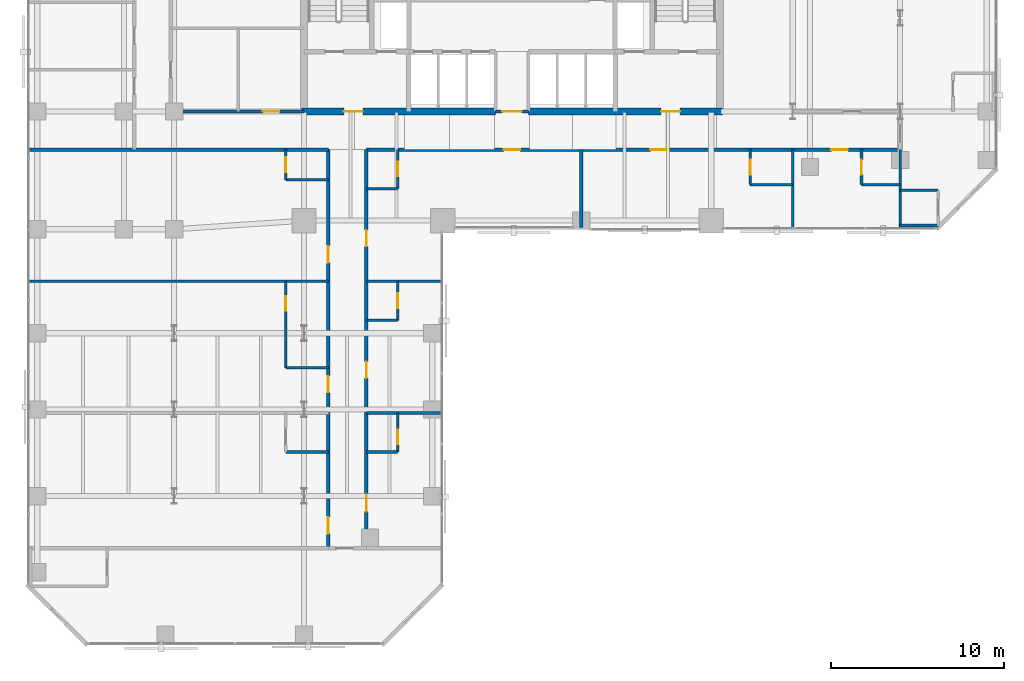
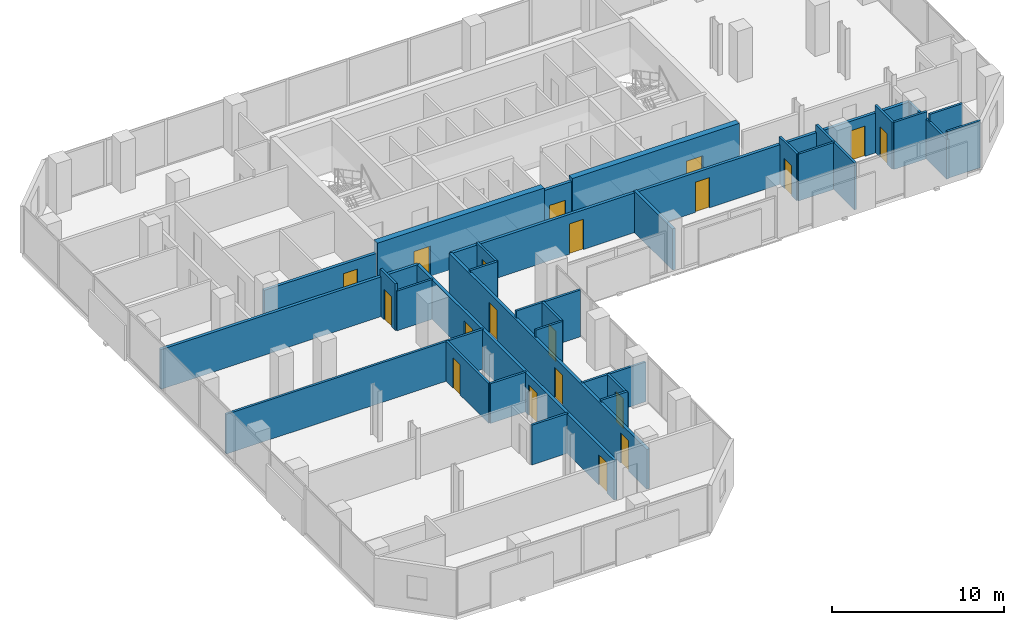
# One storey, part 27 of 31: 31 walls, 20 doors, 20 openings.
"""IFC4 building model written with IfcOpenShell, lengths in metres."""

from ifc_helpers import new_model, si_unit, direction, frame, frame_2d, origin, place, context, subcontext, project, spatial, rectangle, extrude, material, layer, layer_set, type_object, element, fill, save


model = new_model("IFC4")

# Units and contexts
model_context = context("Model", 3, precision=1e-05, world=origin(), true_north=direction((0.0, 1.0)))
body_context = subcontext(model_context, "Body", "Model", "MODEL_VIEW")
ifc_project = project(units=[si_unit("LENGTHUNIT", "METRE"), si_unit("AREAUNIT", "SQUARE_METRE"), si_unit("VOLUMEUNIT", "CUBIC_METRE"), si_unit("PLANEANGLEUNIT", "RADIAN"), si_unit("MASSUNIT", "GRAM", prefix="KILO")], contexts=[model_context])

# Site, building, storey
site_placement = place(None, origin())
site = spatial("IfcSite", under=ifc_project, at=site_placement, CompositionType="ELEMENT")
building_placement = place(site_placement, origin())
building = spatial("IfcBuilding", under=site, at=building_placement, Name="Catumbela Crestline Tower", CompositionType="ELEMENT")
storey_placement = place(building_placement, frame((0.0, 0.0, 40.2)))
storey = spatial("IfcBuildingStorey", under=building, at=storey_placement, Name="L09", CompositionType="ELEMENT", Elevation=40.2)

# Wall, opening, door
ifc_material_1 = material(Name="Concrete C60/75", Category="concrete")
ifc_layer_1 = layer(ifc_material_1, 0.4, Name="Concrete C60/75")
ifc_layer_set_1 = layer_set([ifc_layer_1], Name="Concrete C60/75")
wall_type_1 = type_object("IfcWallType", Name="CW-400A", PredefinedType="SHEAR", material=ifc_layer_set_1)
wall_1_placement = place(storey_placement, frame((15.85, 30.8, 0.0), z_axis=(0.0, 0.0, 1.0), x_axis=(1.0, 0.0, 0.0)))
wall_1 = element("IfcWall", 1, at=wall_1_placement, inside=storey, type_object=wall_type_1, Name="L09 Structural Core Shear Wall SW", PredefinedType="SHEAR", context=body_context, shape_type="SweptSolid", body=[
    extrude(rectangle(XDim=11.2, YDim=0.4, at=frame_2d((5.6, 0.0))), origin(), (0.0, 0.0, 1.0), 3.6),
])
opening_1_placement = place(wall_1_placement, frame((2.45, 0.0, 0.0)))
opening_1 = element("IfcOpeningElement", 2, at=opening_1_placement, cuts=wall_1, Name="Opening DF9-110", PredefinedType="OPENING", context=body_context, shape_type="SweptSolid", body=[
    extrude(rectangle(XDim=1.1, YDim=2.15, at=frame_2d((0.55, 1.075))), frame((0.0, 0.21, 0.0), z_axis=(0.0, -1.0, 0.0), x_axis=(1.0, 0.0, 0.0)), (0.0, 0.0, 1.0), 0.42),
])
ifc_material_2 = material(Name="Stainless steel EN 1.4401", Category="steel")
door_type_1 = type_object("IfcDoorType", Name="DF9-110", OperationType="NOTDEFINED", PredefinedType="DOOR", material=ifc_material_2)
door_1_placement = place(opening_1_placement, origin())
door_1 = element("IfcDoor", 3, at=door_1_placement, inside=storey, type_object=door_type_1, Name="L09 Interior Door DR-L09-FFW-S", OperationType="SINGLE_SWING_LEFT", OverallHeight=2.15, OverallWidth=1.1, PredefinedType="DOOR", context=body_context, shape_type="SweptSolid", body=[
    extrude(rectangle(XDim=1.1, YDim=2.15, at=frame_2d((0.55, 1.075))), frame((0.0, 0.025, 0.0), z_axis=(0.0, -1.0, 0.0), x_axis=(1.0, 0.0, 0.0)), (0.0, 0.0, 1.0), 0.05),
])
fill(opening_1, door_1)

wall_2_placement = place(storey_placement, frame((28.95, 30.8, 0.0), z_axis=(0.0, 0.0, 1.0), x_axis=(1.0, 0.0, 0.0)))
wall_2 = element("IfcWall", 4, at=wall_2_placement, inside=storey, type_object=wall_type_1, Name="L09 Structural Core Shear Wall SE", PredefinedType="SHEAR", context=body_context, shape_type="SweptSolid", body=[
    extrude(rectangle(XDim=11.2, YDim=0.4, at=frame_2d((5.6, 0.0))), origin(), (0.0, 0.0, 1.0), 3.6),
])
opening_2_placement = place(wall_2_placement, frame((7.65, 0.0, 0.0)))
opening_2 = element("IfcOpeningElement", 5, at=opening_2_placement, cuts=wall_2, Name="Opening DF9-110", PredefinedType="OPENING", context=body_context, shape_type="SweptSolid", body=[
    extrude(rectangle(XDim=1.1, YDim=2.15, at=frame_2d((0.55, 1.075))), frame((0.0, 0.21, 0.0), z_axis=(0.0, -1.0, 0.0), x_axis=(1.0, 0.0, 0.0)), (0.0, 0.0, 1.0), 0.42),
])
door_2_placement = place(opening_2_placement, origin())
door_2 = element("IfcDoor", 6, at=door_2_placement, inside=storey, type_object=door_type_1, Name="L09 Interior Door DR-L09-FFE-S", OperationType="SINGLE_SWING_RIGHT", OverallHeight=2.15, OverallWidth=1.1, PredefinedType="DOOR", context=body_context, shape_type="SweptSolid", body=[
    extrude(rectangle(XDim=1.1, YDim=2.15, at=frame_2d((0.55, 1.075))), frame((0.0, 0.025, 0.0), z_axis=(0.0, -1.0, 0.0), x_axis=(1.0, 0.0, 0.0)), (0.0, 0.0, 1.0), 0.05),
])
fill(opening_2, door_2)

ifc_material_3 = material(Name="Acoustic gypsum and mineral-wool partition")
ifc_layer_2 = layer(ifc_material_3, 0.2, Name="Acoustic gypsum and mineral-wool partition")
ifc_layer_set_2 = layer_set([ifc_layer_2], Name="Acoustic gypsum and mineral-wool partition")
wall_type_2 = type_object("IfcWallType", Name="WC-200", PredefinedType="PARTITIONING", material=ifc_layer_set_2)
wall_3_placement = place(storey_placement, frame((27.05, 30.8, 0.0), z_axis=(0.0, 0.0, 1.0), x_axis=(1.0, 0.0, 0.0)))
wall_3 = element("IfcWall", 7, at=wall_3_placement, inside=storey, type_object=wall_type_2, Name="L09 Interior Partition PW-L09-CLOBS", PredefinedType="PARTITIONING", context=body_context, shape_type="SweptSolid", body=[
    extrude(rectangle(XDim=1.9, YDim=0.2, at=frame_2d((0.95, 0.0))), origin(), (0.0, 0.0, 1.0), 3.33),
])
opening_3_placement = place(wall_3_placement, frame((0.4, 0.0, 0.0)))
opening_3 = element("IfcOpeningElement", 8, at=opening_3_placement, cuts=wall_3, Name="Opening DF9-110", PredefinedType="OPENING", context=body_context, shape_type="SweptSolid", body=[
    extrude(rectangle(XDim=1.1, YDim=2.15, at=frame_2d((0.55, 1.075))), frame((0.0, 0.11, 0.0), z_axis=(0.0, -1.0, 0.0), x_axis=(1.0, 0.0, 0.0)), (0.0, 0.0, 1.0), 0.22),
])
door_3_placement = place(opening_3_placement, origin())
door_3 = element("IfcDoor", 9, at=door_3_placement, inside=storey, type_object=door_type_1, Name="L09 Interior Door DR-L09-CLOBS", OperationType="SINGLE_SWING_LEFT", OverallHeight=2.15, OverallWidth=1.1, PredefinedType="DOOR", context=body_context, shape_type="SweptSolid", body=[
    extrude(rectangle(XDim=1.1, YDim=2.15, at=frame_2d((0.55, 1.075))), frame((0.0, 0.025, 0.0), z_axis=(0.0, -1.0, 0.0), x_axis=(1.0, 0.0, 0.0)), (0.0, 0.0, 1.0), 0.05),
])
fill(opening_3, door_3)

# Wall
wall_4_placement = place(storey_placement, frame((0.1, 28.6, 0.0), z_axis=(0.0, 0.0, 1.0), x_axis=(1.0, 0.0, 0.0)))
element("IfcWall", 10, at=wall_4_placement, inside=storey, type_object=wall_type_2, Name="L09 Interior Partition PW-L09-CWGL-N", PredefinedType="PARTITIONING", context=body_context, shape_type="SweptSolid", body=[
    extrude(rectangle(XDim=17.3, YDim=0.2, at=frame_2d((8.65, 0.0))), origin(), (0.0, 0.0, 1.0), 2.82),
])

# Wall, openings, doors
wall_5_placement = place(storey_placement, frame((19.6, 28.6, 0.0), z_axis=(0.0, 0.0, 1.0), x_axis=(1.0, 0.0, 0.0)))
wall_5 = element("IfcWall", 11, at=wall_5_placement, inside=storey, type_object=wall_type_2, Name="L09 Interior Partition PW-L09-CWGR-N", PredefinedType="PARTITIONING", context=body_context, shape_type="SweptSolid", body=[
    extrude(rectangle(XDim=30.8, YDim=0.2, at=frame_2d((15.4, 0.0))), origin(), (0.0, 0.0, 1.0), 2.82),
])
opening_4_placement = place(wall_5_placement, frame((7.925, 0.0, 0.0)))
opening_4 = element("IfcOpeningElement", 12, at=opening_4_placement, cuts=wall_5, Name="Opening DF6-095", PredefinedType="OPENING", context=body_context, shape_type="SweptSolid", body=[
    extrude(rectangle(XDim=0.95, YDim=2.15, at=frame_2d((0.475, 1.075))), frame((0.0, 0.11, 0.0), z_axis=(0.0, -1.0, 0.0), x_axis=(1.0, 0.0, 0.0)), (0.0, 0.0, 1.0), 0.22),
])
opening_5_placement = place(wall_5_placement, frame((16.39, 0.0, 0.0)))
opening_5 = element("IfcOpeningElement", 13, at=opening_5_placement, cuts=wall_5, Name="Opening DF6-095", PredefinedType="OPENING", context=body_context, shape_type="SweptSolid", body=[
    extrude(rectangle(XDim=0.95, YDim=2.15, at=frame_2d((0.475, 1.075))), frame((0.0, 0.11, 0.0), z_axis=(0.0, -1.0, 0.0), x_axis=(1.0, 0.0, 0.0)), (0.0, 0.0, 1.0), 0.22),
])
opening_6_placement = place(wall_5_placement, frame((26.8354, 0.0, 0.0)))
opening_6 = element("IfcOpeningElement", 14, at=opening_6_placement, cuts=wall_5, Name="Opening DF6-095", PredefinedType="OPENING", context=body_context, shape_type="SweptSolid", body=[
    extrude(rectangle(XDim=0.95, YDim=2.15, at=frame_2d((0.475, 1.075))), frame((0.0, 0.11, 0.0), z_axis=(0.0, -1.0, 0.0), x_axis=(1.0, 0.0, 0.0)), (0.0, 0.0, 1.0), 0.22),
])
ifc_material_4 = material(Name="Aluminium alloy AW-6060-T66", Category="aluminium")
door_type_2 = type_object("IfcDoorType", Name="DF6-095", OperationType="NOTDEFINED", PredefinedType="DOOR", material=ifc_material_4)
door_4_placement = place(opening_4_placement, origin())
door_4 = element("IfcDoor", 15, at=door_4_placement, inside=storey, type_object=door_type_2, Name="L09 Interior Door DR-L09-CLBL-ENT", OperationType="SINGLE_SWING_RIGHT", OverallHeight=2.15, OverallWidth=0.95, PredefinedType="DOOR", context=body_context, shape_type="SweptSolid", body=[
    extrude(rectangle(XDim=0.95, YDim=2.15, at=frame_2d((0.475, 1.075))), frame((0.0, 0.025, 0.0), z_axis=(0.0, -1.0, 0.0), x_axis=(1.0, 0.0, 0.0)), (0.0, 0.0, 1.0), 0.05),
])
fill(opening_4, door_4)
door_5_placement = place(opening_5_placement, origin())
door_5 = element("IfcDoor", 16, at=door_5_placement, inside=storey, type_object=door_type_2, Name="L09 Interior Door DR-L09-K2-ENT", OperationType="SINGLE_SWING_RIGHT", OverallHeight=2.15, OverallWidth=0.95, PredefinedType="DOOR", context=body_context, shape_type="SweptSolid", body=[
    extrude(rectangle(XDim=0.95, YDim=2.15, at=frame_2d((0.475, 1.075))), frame((0.0, 0.025, 0.0), z_axis=(0.0, -1.0, 0.0), x_axis=(1.0, 0.0, 0.0)), (0.0, 0.0, 1.0), 0.05),
])
fill(opening_5, door_5)
door_6_placement = place(opening_6_placement, origin())
door_6 = element("IfcDoor", 17, at=door_6_placement, inside=storey, type_object=door_type_2, Name="L09 Interior Door DR-L09-K3-ENT", OperationType="SINGLE_SWING_LEFT", OverallHeight=2.15, OverallWidth=0.95, PredefinedType="DOOR", context=body_context, shape_type="SweptSolid", body=[
    extrude(rectangle(XDim=0.95, YDim=2.15, at=frame_2d((0.475, 1.075))), frame((0.0, 0.025, 0.0), z_axis=(0.0, -1.0, 0.0), x_axis=(1.0, 0.0, 0.0)), (0.0, 0.0, 1.0), 0.05),
])
fill(opening_6, door_6)

# Wall, opening, door
wall_6_placement = place(storey_placement, frame((8.3, 30.8, 0.0), z_axis=(0.0, 0.0, 1.0), x_axis=(1.0, 0.0, 0.0)))
wall_6 = element("IfcWall", 18, at=wall_6_placement, inside=storey, type_object=wall_type_2, Name="L09 Interior Partition PW-L09-HK-S", PredefinedType="PARTITIONING", context=body_context, shape_type="SweptSolid", body=[
    extrude(rectangle(XDim=7.7, YDim=0.2, at=frame_2d((3.85, 0.0))), origin(), (0.0, 0.0, 1.0), 2.82),
])
opening_7_placement = place(wall_6_placement, frame((5.325, 0.0, 0.0)))
opening_7 = element("IfcOpeningElement", 19, at=opening_7_placement, cuts=wall_6, Name="Opening DF6-095", PredefinedType="OPENING", context=body_context, shape_type="SweptSolid", body=[
    extrude(rectangle(XDim=0.95, YDim=2.15, at=frame_2d((0.475, 1.075))), frame((0.0, 0.11, 0.0), z_axis=(0.0, -1.0, 0.0), x_axis=(1.0, 0.0, 0.0)), (0.0, 0.0, 1.0), 0.22),
])
door_7_placement = place(opening_7_placement, origin())
door_7 = element("IfcDoor", 20, at=door_7_placement, inside=storey, type_object=door_type_2, Name="L09 Interior Door DR-L09-HKP", OperationType="SINGLE_SWING_LEFT", OverallHeight=2.15, OverallWidth=0.95, PredefinedType="DOOR", context=body_context, shape_type="SweptSolid", body=[
    extrude(rectangle(XDim=0.95, YDim=2.15, at=frame_2d((0.475, 1.075))), frame((0.0, 0.025, 0.0), z_axis=(0.0, -1.0, 0.0), x_axis=(1.0, 0.0, 0.0)), (0.0, 0.0, 1.0), 0.05),
])
fill(opening_7, door_7)

# Wall, openings, doors
wall_7_placement = place(storey_placement, frame((17.4, 5.6, 0.0), z_axis=(0.0, 0.0, 1.0), x_axis=(0.0, 1.0, 0.0)))
wall_7 = element("IfcWall", 21, at=wall_7_placement, inside=storey, type_object=wall_type_2, Name="L09 Interior Partition PW-L09-WL1-ENT", PredefinedType="PARTITIONING", context=body_context, shape_type="SweptSolid", body=[
    extrude(rectangle(XDim=23.0, YDim=0.2, at=frame_2d((11.5, 0.0))), origin(), (0.0, 0.0, 1.0), 2.82),
])
opening_8_placement = place(wall_7_placement, frame((0.84, 0.0, 0.0)))
opening_8 = element("IfcOpeningElement", 22, at=opening_8_placement, cuts=wall_7, Name="Opening DF6-095", PredefinedType="OPENING", context=body_context, shape_type="SweptSolid", body=[
    extrude(rectangle(XDim=0.95, YDim=2.15, at=frame_2d((0.475, 1.075))), frame((0.0, 0.11, 0.0), z_axis=(0.0, -1.0, 0.0), x_axis=(1.0, 0.0, 0.0)), (0.0, 0.0, 1.0), 0.22),
])
opening_9_placement = place(wall_7_placement, frame((8.9831, 0.0, 0.0)))
opening_9 = element("IfcOpeningElement", 23, at=opening_9_placement, cuts=wall_7, Name="Opening DF6-095", PredefinedType="OPENING", context=body_context, shape_type="SweptSolid", body=[
    extrude(rectangle(XDim=0.95, YDim=2.15, at=frame_2d((0.475, 1.075))), frame((0.0, 0.11, 0.0), z_axis=(0.0, -1.0, 0.0), x_axis=(1.0, 0.0, 0.0)), (0.0, 0.0, 1.0), 0.22),
])
opening_10_placement = place(wall_7_placement, frame((16.476, 0.0, 0.0)))
opening_10 = element("IfcOpeningElement", 24, at=opening_10_placement, cuts=wall_7, Name="Opening DF6-095", PredefinedType="OPENING", context=body_context, shape_type="SweptSolid", body=[
    extrude(rectangle(XDim=0.95, YDim=2.15, at=frame_2d((0.475, 1.075))), frame((0.0, 0.11, 0.0), z_axis=(0.0, -1.0, 0.0), x_axis=(1.0, 0.0, 0.0)), (0.0, 0.0, 1.0), 0.22),
])
door_8_placement = place(opening_8_placement, origin())
door_8 = element("IfcDoor", 25, at=door_8_placement, inside=storey, type_object=door_type_2, Name="L09 Interior Door DR-L09-WL1-ENT", OperationType="SINGLE_SWING_LEFT", OverallHeight=2.15, OverallWidth=0.95, PredefinedType="DOOR", context=body_context, shape_type="SweptSolid", body=[
    extrude(rectangle(XDim=0.95, YDim=2.15, at=frame_2d((0.475, 1.075))), frame((0.0, 0.025, 0.0), z_axis=(0.0, -1.0, 0.0), x_axis=(1.0, 0.0, 0.0)), (0.0, 0.0, 1.0), 0.05),
])
fill(opening_8, door_8)
door_9_placement = place(opening_9_placement, origin())
door_9 = element("IfcDoor", 26, at=door_9_placement, inside=storey, type_object=door_type_2, Name="L09 Interior Door DR-L09-WL2-ENT", OperationType="SINGLE_SWING_RIGHT", OverallHeight=2.15, OverallWidth=0.95, PredefinedType="DOOR", context=body_context, shape_type="SweptSolid", body=[
    extrude(rectangle(XDim=0.95, YDim=2.15, at=frame_2d((0.475, 1.075))), frame((0.0, 0.025, 0.0), z_axis=(0.0, -1.0, 0.0), x_axis=(1.0, 0.0, 0.0)), (0.0, 0.0, 1.0), 0.05),
])
fill(opening_9, door_9)
door_10_placement = place(opening_10_placement, origin())
door_10 = element("IfcDoor", 27, at=door_10_placement, inside=storey, type_object=door_type_2, Name="L09 Interior Door DR-L09-WL3-ENT", OperationType="SINGLE_SWING_LEFT", OverallHeight=2.15, OverallWidth=0.95, PredefinedType="DOOR", context=body_context, shape_type="SweptSolid", body=[
    extrude(rectangle(XDim=0.95, YDim=2.15, at=frame_2d((0.475, 1.075))), frame((0.0, 0.025, 0.0), z_axis=(0.0, -1.0, 0.0), x_axis=(1.0, 0.0, 0.0)), (0.0, 0.0, 1.0), 0.05),
])
fill(opening_10, door_10)

wall_8_placement = place(storey_placement, frame((19.6, 5.6, 0.0), z_axis=(0.0, 0.0, 1.0), x_axis=(0.0, 1.0, 0.0)))
wall_8 = element("IfcWall", 28, at=wall_8_placement, inside=storey, type_object=wall_type_2, Name="L09 Interior Partition PW-L09-WR1-ENT", PredefinedType="PARTITIONING", context=body_context, shape_type="SweptSolid", body=[
    extrude(rectangle(XDim=23.0, YDim=0.2, at=frame_2d((11.5, 0.0))), origin(), (0.0, 0.0, 1.0), 2.82),
])
opening_11_placement = place(wall_8_placement, frame((2.1, 0.0, 0.0)))
opening_11 = element("IfcOpeningElement", 29, at=opening_11_placement, cuts=wall_8, Name="Opening DF6-095", PredefinedType="OPENING", context=body_context, shape_type="SweptSolid", body=[
    extrude(rectangle(XDim=0.95, YDim=2.15, at=frame_2d((0.475, 1.075))), frame((0.0, 0.11, 0.0), z_axis=(0.0, -1.0, 0.0), x_axis=(1.0, 0.0, 0.0)), (0.0, 0.0, 1.0), 0.22),
])
opening_12_placement = place(wall_8_placement, frame((9.81, 0.0, 0.0)))
opening_12 = element("IfcOpeningElement", 30, at=opening_12_placement, cuts=wall_8, Name="Opening DF6-095", PredefinedType="OPENING", context=body_context, shape_type="SweptSolid", body=[
    extrude(rectangle(XDim=0.95, YDim=2.15, at=frame_2d((0.475, 1.075))), frame((0.0, 0.11, 0.0), z_axis=(0.0, -1.0, 0.0), x_axis=(1.0, 0.0, 0.0)), (0.0, 0.0, 1.0), 0.22),
])
opening_13_placement = place(wall_8_placement, frame((17.41, 0.0, 0.0)))
opening_13 = element("IfcOpeningElement", 31, at=opening_13_placement, cuts=wall_8, Name="Opening DF6-095", PredefinedType="OPENING", context=body_context, shape_type="SweptSolid", body=[
    extrude(rectangle(XDim=0.95, YDim=2.15, at=frame_2d((0.475, 1.075))), frame((0.0, 0.11, 0.0), z_axis=(0.0, -1.0, 0.0), x_axis=(1.0, 0.0, 0.0)), (0.0, 0.0, 1.0), 0.22),
])
door_11_placement = place(opening_11_placement, origin())
door_11 = element("IfcDoor", 32, at=door_11_placement, inside=storey, type_object=door_type_2, Name="L09 Interior Door DR-L09-WR1-ENT", OperationType="SINGLE_SWING_LEFT", OverallHeight=2.15, OverallWidth=0.95, PredefinedType="DOOR", context=body_context, shape_type="SweptSolid", body=[
    extrude(rectangle(XDim=0.95, YDim=2.15, at=frame_2d((0.475, 1.075))), frame((0.0, 0.025, 0.0), z_axis=(0.0, -1.0, 0.0), x_axis=(1.0, 0.0, 0.0)), (0.0, 0.0, 1.0), 0.05),
])
fill(opening_11, door_11)
door_12_placement = place(opening_12_placement, origin())
door_12 = element("IfcDoor", 33, at=door_12_placement, inside=storey, type_object=door_type_2, Name="L09 Interior Door DR-L09-WR2-ENT", OperationType="SINGLE_SWING_RIGHT", OverallHeight=2.15, OverallWidth=0.95, PredefinedType="DOOR", context=body_context, shape_type="SweptSolid", body=[
    extrude(rectangle(XDim=0.95, YDim=2.15, at=frame_2d((0.475, 1.075))), frame((0.0, 0.025, 0.0), z_axis=(0.0, -1.0, 0.0), x_axis=(1.0, 0.0, 0.0)), (0.0, 0.0, 1.0), 0.05),
])
fill(opening_12, door_12)
door_13_placement = place(opening_13_placement, origin())
door_13 = element("IfcDoor", 34, at=door_13_placement, inside=storey, type_object=door_type_2, Name="L09 Interior Door DR-L09-WR3-ENT", OperationType="SINGLE_SWING_LEFT", OverallHeight=2.15, OverallWidth=0.95, PredefinedType="DOOR", context=body_context, shape_type="SweptSolid", body=[
    extrude(rectangle(XDim=0.95, YDim=2.15, at=frame_2d((0.475, 1.075))), frame((0.0, 0.025, 0.0), z_axis=(0.0, -1.0, 0.0), x_axis=(1.0, 0.0, 0.0)), (0.0, 0.0, 1.0), 0.05),
])
fill(opening_13, door_13)

# Wall
ifc_layer_3 = layer(ifc_material_3, 0.15, Name="Acoustic gypsum and mineral-wool partition")
ifc_layer_set_3 = layer_set([ifc_layer_3], Name="Acoustic gypsum and mineral-wool partition")
wall_type_3 = type_object("IfcWallType", Name="WP-150", PredefinedType="PARTITIONING", material=ifc_layer_set_3)
wall_9_placement = place(storey_placement, frame((41.75, 26.576, 0.0), z_axis=(0.0, 0.0, 1.0), x_axis=(1.0, 0.0, 0.0)))
element("IfcWall", 35, at=wall_9_placement, inside=storey, type_object=wall_type_3, Name="L09 Interior Partition PW-L09-K2-BHW", PredefinedType="PARTITIONING", context=body_context, shape_type="SweptSolid", body=[
    extrude(rectangle(XDim=2.45, YDim=0.15, at=frame_2d((1.225, 0.0))), origin(), (0.0, 0.0, 1.0), 3.33),
])

# Wall, opening, door
wall_10_placement = place(storey_placement, frame((41.75, 26.576, 0.0), z_axis=(0.0, 0.0, 1.0), x_axis=(0.0, 1.0, 0.0)))
wall_10 = element("IfcWall", 36, at=wall_10_placement, inside=storey, type_object=wall_type_3, Name="L09 Interior Partition PW-L09-K2-BWW", PredefinedType="PARTITIONING", context=body_context, shape_type="SweptSolid", body=[
    extrude(rectangle(XDim=2.024, YDim=0.15, at=frame_2d((1.012, 0.0))), origin(), (0.0, 0.0, 1.0), 3.33),
])
opening_14_placement = place(wall_10_placement, frame((0.587, 0.0, 0.0)))
opening_14 = element("IfcOpeningElement", 37, at=opening_14_placement, cuts=wall_10, Name="Opening DI-085", PredefinedType="OPENING", context=body_context, shape_type="SweptSolid", body=[
    extrude(rectangle(XDim=0.85, YDim=2.15, at=frame_2d((0.425, 1.075))), frame((0.0, 0.085, 0.0), z_axis=(0.0, -1.0, 0.0), x_axis=(1.0, 0.0, 0.0)), (0.0, 0.0, 1.0), 0.17),
])
door_type_3 = type_object("IfcDoorType", Name="DI-085", OperationType="NOTDEFINED", PredefinedType="DOOR", material=ifc_material_4)
door_14_placement = place(opening_14_placement, origin())
door_14 = element("IfcDoor", 38, at=door_14_placement, inside=storey, type_object=door_type_3, Name="L09 Interior Door DR-L09-K2-BTH", OperationType="SINGLE_SWING_RIGHT", OverallHeight=2.15, OverallWidth=0.85, PredefinedType="DOOR", context=body_context, shape_type="SweptSolid", body=[
    extrude(rectangle(XDim=0.85, YDim=2.15, at=frame_2d((0.425, 1.075))), frame((0.0, 0.025, 0.0), z_axis=(0.0, -1.0, 0.0), x_axis=(1.0, 0.0, 0.0)), (0.0, 0.0, 1.0), 0.05),
])
fill(opening_14, door_14)

# Walls
wall_11_placement = place(storey_placement, frame((44.2, 28.6, 0.0), z_axis=(0.0, 0.0, 1.0), x_axis=(0.0, -1.0, 0.0)))
element("IfcWall", 39, at=wall_11_placement, inside=storey, type_object=wall_type_3, Name="L09 Interior Partition PW-L09-K2-BCL-2", PredefinedType="PARTITIONING", context=body_context, shape_type="SweptSolid", body=[
    extrude(rectangle(XDim=4.5, YDim=0.15, at=frame_2d((2.25, 0.0))), origin(), (0.0, 0.0, 1.0), 3.33),
])
wall_12_placement = place(storey_placement, frame((48.168, 26.576, 0.0), z_axis=(0.0, 0.0, 1.0), x_axis=(1.0, 0.0, 0.0)))
element("IfcWall", 40, at=wall_12_placement, inside=storey, type_object=wall_type_3, Name="L09 Interior Partition PW-L09-K3-BHW", PredefinedType="PARTITIONING", context=body_context, shape_type="SweptSolid", body=[
    extrude(rectangle(XDim=2.232, YDim=0.15, at=frame_2d((1.116, 0.0))), origin(), (0.0, 0.0, 1.0), 3.33),
])

# Wall, opening, door
wall_13_placement = place(storey_placement, frame((48.168, 26.576, 0.0), z_axis=(0.0, 0.0, 1.0), x_axis=(0.0, 1.0, 0.0)))
wall_13 = element("IfcWall", 41, at=wall_13_placement, inside=storey, type_object=wall_type_3, Name="L09 Interior Partition PW-L09-K3-BWW", PredefinedType="PARTITIONING", context=body_context, shape_type="SweptSolid", body=[
    extrude(rectangle(XDim=2.024, YDim=0.15, at=frame_2d((1.012, 0.0))), origin(), (0.0, 0.0, 1.0), 3.33),
])
opening_15_placement = place(wall_13_placement, frame((0.587, 0.0, 0.0)))
opening_15 = element("IfcOpeningElement", 42, at=opening_15_placement, cuts=wall_13, Name="Opening DI-085", PredefinedType="OPENING", context=body_context, shape_type="SweptSolid", body=[
    extrude(rectangle(XDim=0.85, YDim=2.15, at=frame_2d((0.425, 1.075))), frame((0.0, 0.085, 0.0), z_axis=(0.0, -1.0, 0.0), x_axis=(1.0, 0.0, 0.0)), (0.0, 0.0, 1.0), 0.17),
])
door_15_placement = place(opening_15_placement, origin())
door_15 = element("IfcDoor", 43, at=door_15_placement, inside=storey, type_object=door_type_3, Name="L09 Interior Door DR-L09-K3-BTH", OperationType="SINGLE_SWING_RIGHT", OverallHeight=2.15, OverallWidth=0.85, PredefinedType="DOOR", context=body_context, shape_type="SweptSolid", body=[
    extrude(rectangle(XDim=0.85, YDim=2.15, at=frame_2d((0.425, 1.075))), frame((0.0, 0.025, 0.0), z_axis=(0.0, -1.0, 0.0), x_axis=(1.0, 0.0, 0.0)), (0.0, 0.0, 1.0), 0.05),
])
fill(opening_15, door_15)

# Walls
wall_14_placement = place(storey_placement, frame((50.4, 28.6, 0.0), z_axis=(0.0, 0.0, 1.0), x_axis=(0.0, -1.0, 0.0)))
element("IfcWall", 44, at=wall_14_placement, inside=storey, type_object=wall_type_3, Name="L09 Interior Partition PW-L09-K3-BCL-2", PredefinedType="PARTITIONING", context=body_context, shape_type="SweptSolid", body=[
    extrude(rectangle(XDim=4.5, YDim=0.15, at=frame_2d((2.25, 0.0))), origin(), (0.0, 0.0, 1.0), 2.82),
])
wall_15_placement = place(storey_placement, frame((50.4, 26.25, 0.0), z_axis=(0.0, 0.0, 1.0), x_axis=(1.0, 0.0, 0.0)))
element("IfcWall", 45, at=wall_15_placement, inside=storey, type_object=wall_type_3, Name="L09 Interior Partition PW-L09-NESE-BNW", PredefinedType="PARTITIONING", context=body_context, shape_type="SweptSolid", body=[
    extrude(rectangle(XDim=2.2, YDim=0.15, at=frame_2d((1.1, 0.0))), origin(), (0.0, 0.0, 1.0), 3.33),
])
wall_16_placement = place(storey_placement, frame((52.62, 24.22, 0.0), z_axis=(0.0, 0.0, 1.0), x_axis=(-1.0, 0.0, 0.0)))
element("IfcWall", 46, at=wall_16_placement, inside=storey, type_object=wall_type_3, Name="L09 Interior Partition PW-L09-NESE-BCL-3", PredefinedType="PARTITIONING", context=body_context, shape_type="SweptSolid", body=[
    extrude(rectangle(XDim=2.22, YDim=0.15, at=frame_2d((1.11, 0.0))), origin(), (0.0, 0.0, 1.0), 3.33),
])
wall_17_placement = place(storey_placement, frame((14.95, 11.15, 0.0), z_axis=(0.0, 0.0, 1.0), x_axis=(1.0, 0.0, 0.0)))
element("IfcWall", 47, at=wall_17_placement, inside=storey, type_object=wall_type_3, Name="L09 Interior Partition PW-L09-WL1-BSW", PredefinedType="PARTITIONING", context=body_context, shape_type="SweptSolid", body=[
    extrude(rectangle(XDim=2.45, YDim=0.15, at=frame_2d((1.225, 0.0))), origin(), (0.0, 0.0, 1.0), 2.82),
])
wall_18_placement = place(storey_placement, frame((19.6, 11.15, 0.0), z_axis=(0.0, 0.0, 1.0), x_axis=(1.0, 0.0, 0.0)))
element("IfcWall", 48, at=wall_18_placement, inside=storey, type_object=wall_type_3, Name="L09 Interior Partition PW-L09-WR1-BSW", PredefinedType="PARTITIONING", context=body_context, shape_type="SweptSolid", body=[
    extrude(rectangle(XDim=1.8, YDim=0.15, at=frame_2d((0.9, 0.0))), origin(), (0.0, 0.0, 1.0), 2.96),
])

# Wall, opening, door
wall_19_placement = place(storey_placement, frame((21.4, 11.15, 0.0), z_axis=(0.0, 0.0, 1.0), x_axis=(0.0, 1.0, 0.0)))
wall_19 = element("IfcWall", 49, at=wall_19_placement, inside=storey, type_object=wall_type_3, Name="L09 Interior Partition PW-L09-WR1-BEW", PredefinedType="PARTITIONING", context=body_context, shape_type="SweptSolid", body=[
    extrude(rectangle(XDim=2.25, YDim=0.15, at=frame_2d((1.125, 0.0))), origin(), (0.0, 0.0, 1.0), 2.82),
])
opening_16_placement = place(wall_19_placement, frame((0.4444, 0.0, 0.0)))
opening_16 = element("IfcOpeningElement", 50, at=opening_16_placement, cuts=wall_19, Name="Opening DI-085", PredefinedType="OPENING", context=body_context, shape_type="SweptSolid", body=[
    extrude(rectangle(XDim=0.85, YDim=2.15, at=frame_2d((0.425, 1.075))), frame((0.0, 0.085, 0.0), z_axis=(0.0, -1.0, 0.0), x_axis=(1.0, 0.0, 0.0)), (0.0, 0.0, 1.0), 0.17),
])
door_16_placement = place(opening_16_placement, origin())
door_16 = element("IfcDoor", 51, at=door_16_placement, inside=storey, type_object=door_type_3, Name="L09 Interior Door DR-L09-WR1-BTH", OperationType="SINGLE_SWING_LEFT", OverallHeight=2.15, OverallWidth=0.85, PredefinedType="DOOR", context=body_context, shape_type="SweptSolid", body=[
    extrude(rectangle(XDim=0.85, YDim=2.15, at=frame_2d((0.425, 1.075))), frame((0.0, 0.025, 0.0), z_axis=(0.0, -1.0, 0.0), x_axis=(1.0, 0.0, 0.0)), (0.0, 0.0, 1.0), 0.05),
])
fill(opening_16, door_16)

# Walls
wall_20_placement = place(storey_placement, frame((19.6, 13.4, 0.0), z_axis=(0.0, 0.0, 1.0), x_axis=(1.0, 0.0, 0.0)))
element("IfcWall", 52, at=wall_20_placement, inside=storey, type_object=wall_type_3, Name="L09 Interior Partition PW-L09-WR1-BCL-1", PredefinedType="PARTITIONING", context=body_context, shape_type="SweptSolid", body=[
    extrude(rectangle(XDim=4.3, YDim=0.15, at=frame_2d((2.15, 0.0))), origin(), (0.0, 0.0, 1.0), 2.82),
])
wall_21_placement = place(storey_placement, frame((14.95, 16.0, 0.0), z_axis=(0.0, 0.0, 1.0), x_axis=(1.0, 0.0, 0.0)))
element("IfcWall", 53, at=wall_21_placement, inside=storey, type_object=wall_type_3, Name="L09 Interior Partition PW-L09-WL2-BSW", PredefinedType="PARTITIONING", context=body_context, shape_type="SweptSolid", body=[
    extrude(rectangle(XDim=2.45, YDim=0.15, at=frame_2d((1.225, 0.0))), origin(), (0.0, 0.0, 1.0), 2.82),
])

# Wall, opening, door
wall_22_placement = place(storey_placement, frame((14.95, 16.0, 0.0), z_axis=(0.0, 0.0, 1.0), x_axis=(0.0, 1.0, 0.0)))
wall_22 = element("IfcWall", 54, at=wall_22_placement, inside=storey, type_object=wall_type_3, Name="L09 Interior Partition PW-L09-WL2-BWW", PredefinedType="PARTITIONING", context=body_context, shape_type="SweptSolid", body=[
    extrude(rectangle(XDim=5.0, YDim=0.15, at=frame_2d((2.5, 0.0))), origin(), (0.0, 0.0, 1.0), 2.82),
])
opening_17_placement = place(wall_22_placement, frame((3.2983, 0.0, 0.0)))
opening_17 = element("IfcOpeningElement", 55, at=opening_17_placement, cuts=wall_22, Name="Opening DI-085", PredefinedType="OPENING", context=body_context, shape_type="SweptSolid", body=[
    extrude(rectangle(XDim=0.85, YDim=2.15, at=frame_2d((0.425, 1.075))), frame((0.0, 0.085, 0.0), z_axis=(0.0, -1.0, 0.0), x_axis=(1.0, 0.0, 0.0)), (0.0, 0.0, 1.0), 0.17),
])
door_17_placement = place(opening_17_placement, origin())
door_17 = element("IfcDoor", 56, at=door_17_placement, inside=storey, type_object=door_type_3, Name="L09 Interior Door DR-L09-WL2-BTH", OperationType="SINGLE_SWING_RIGHT", OverallHeight=2.15, OverallWidth=0.85, PredefinedType="DOOR", context=body_context, shape_type="SweptSolid", body=[
    extrude(rectangle(XDim=0.85, YDim=2.15, at=frame_2d((0.425, 1.075))), frame((0.0, 0.025, 0.0), z_axis=(0.0, -1.0, 0.0), x_axis=(1.0, 0.0, 0.0)), (0.0, 0.0, 1.0), 0.05),
])
fill(opening_17, door_17)

# Walls
wall_23_placement = place(storey_placement, frame((0.1, 21.0, 0.0), z_axis=(0.0, 0.0, 1.0), x_axis=(1.0, 0.0, 0.0)))
element("IfcWall", 57, at=wall_23_placement, inside=storey, type_object=wall_type_3, Name="L09 Interior Partition PW-L09-WL2-BCL-1", PredefinedType="PARTITIONING", context=body_context, shape_type="SweptSolid", body=[
    extrude(rectangle(XDim=17.3, YDim=0.15, at=frame_2d((8.65, 0.0))), origin(), (0.0, 0.0, 1.0), 2.82),
])
wall_24_placement = place(storey_placement, frame((19.6, 18.75, 0.0), z_axis=(0.0, 0.0, 1.0), x_axis=(1.0, 0.0, 0.0)))
element("IfcWall", 58, at=wall_24_placement, inside=storey, type_object=wall_type_3, Name="L09 Interior Partition PW-L09-WR2-BSW", PredefinedType="PARTITIONING", context=body_context, shape_type="SweptSolid", body=[
    extrude(rectangle(XDim=1.8, YDim=0.15, at=frame_2d((0.9, 0.0))), origin(), (0.0, 0.0, 1.0), 3.33),
])

# Wall, opening, door
wall_25_placement = place(storey_placement, frame((21.4, 18.75, 0.0), z_axis=(0.0, 0.0, 1.0), x_axis=(0.0, 1.0, 0.0)))
wall_25 = element("IfcWall", 59, at=wall_25_placement, inside=storey, type_object=wall_type_3, Name="L09 Interior Partition PW-L09-WR2-BEW", PredefinedType="PARTITIONING", context=body_context, shape_type="SweptSolid", body=[
    extrude(rectangle(XDim=2.25, YDim=0.15, at=frame_2d((1.125, 0.0))), origin(), (0.0, 0.0, 1.0), 3.33),
])
opening_18_placement = place(wall_25_placement, frame((0.7, 0.0, 0.0)))
opening_18 = element("IfcOpeningElement", 60, at=opening_18_placement, cuts=wall_25, Name="Opening DI-085", PredefinedType="OPENING", context=body_context, shape_type="SweptSolid", body=[
    extrude(rectangle(XDim=0.85, YDim=2.15, at=frame_2d((0.425, 1.075))), frame((0.0, 0.085, 0.0), z_axis=(0.0, -1.0, 0.0), x_axis=(1.0, 0.0, 0.0)), (0.0, 0.0, 1.0), 0.17),
])
door_18_placement = place(opening_18_placement, origin())
door_18 = element("IfcDoor", 61, at=door_18_placement, inside=storey, type_object=door_type_3, Name="L09 Interior Door DR-L09-WR2-BTH", OperationType="SINGLE_SWING_LEFT", OverallHeight=2.15, OverallWidth=0.85, PredefinedType="DOOR", context=body_context, shape_type="SweptSolid", body=[
    extrude(rectangle(XDim=0.85, YDim=2.15, at=frame_2d((0.425, 1.075))), frame((0.0, 0.025, 0.0), z_axis=(0.0, -1.0, 0.0), x_axis=(1.0, 0.0, 0.0)), (0.0, 0.0, 1.0), 0.05),
])
fill(opening_18, door_18)

# Walls
wall_26_placement = place(storey_placement, frame((19.6, 21.0, 0.0), z_axis=(0.0, 0.0, 1.0), x_axis=(1.0, 0.0, 0.0)))
element("IfcWall", 62, at=wall_26_placement, inside=storey, type_object=wall_type_3, Name="L09 Interior Partition PW-L09-WR2-BCL-1", PredefinedType="PARTITIONING", context=body_context, shape_type="SweptSolid", body=[
    extrude(rectangle(XDim=4.3, YDim=0.15, at=frame_2d((2.15, 0.0))), origin(), (0.0, 0.0, 1.0), 3.33),
])
wall_27_placement = place(storey_placement, frame((14.95, 26.85, 0.0), z_axis=(0.0, 0.0, 1.0), x_axis=(1.0, 0.0, 0.0)))
element("IfcWall", 63, at=wall_27_placement, inside=storey, type_object=wall_type_3, Name="L09 Interior Partition PW-L09-WL3-BSW", PredefinedType="PARTITIONING", context=body_context, shape_type="SweptSolid", body=[
    extrude(rectangle(XDim=2.45, YDim=0.15, at=frame_2d((1.225, 0.0))), origin(), (0.0, 0.0, 1.0), 2.82),
])

# Wall, opening, door
wall_28_placement = place(storey_placement, frame((14.95, 26.85, 0.0), z_axis=(0.0, 0.0, 1.0), x_axis=(0.0, 1.0, 0.0)))
wall_28 = element("IfcWall", 64, at=wall_28_placement, inside=storey, type_object=wall_type_3, Name="L09 Interior Partition PW-L09-WL3-BWW", PredefinedType="PARTITIONING", context=body_context, shape_type="SweptSolid", body=[
    extrude(rectangle(XDim=1.75, YDim=0.15, at=frame_2d((0.875, 0.0))), origin(), (0.0, 0.0, 1.0), 3.33),
])
opening_19_placement = place(wall_28_placement, frame((0.45, 0.0, 0.0)))
opening_19 = element("IfcOpeningElement", 65, at=opening_19_placement, cuts=wall_28, Name="Opening DI-085", PredefinedType="OPENING", context=body_context, shape_type="SweptSolid", body=[
    extrude(rectangle(XDim=0.85, YDim=2.15, at=frame_2d((0.425, 1.075))), frame((0.0, 0.085, 0.0), z_axis=(0.0, -1.0, 0.0), x_axis=(1.0, 0.0, 0.0)), (0.0, 0.0, 1.0), 0.17),
])
door_19_placement = place(opening_19_placement, origin())
door_19 = element("IfcDoor", 66, at=door_19_placement, inside=storey, type_object=door_type_3, Name="L09 Interior Door DR-L09-WL3-BTH", OperationType="SINGLE_SWING_RIGHT", OverallHeight=2.15, OverallWidth=0.85, PredefinedType="DOOR", context=body_context, shape_type="SweptSolid", body=[
    extrude(rectangle(XDim=0.85, YDim=2.15, at=frame_2d((0.425, 1.075))), frame((0.0, 0.025, 0.0), z_axis=(0.0, -1.0, 0.0), x_axis=(1.0, 0.0, 0.0)), (0.0, 0.0, 1.0), 0.05),
])
fill(opening_19, door_19)

# Wall
wall_29_placement = place(storey_placement, frame((19.6, 26.35, 0.0), z_axis=(0.0, 0.0, 1.0), x_axis=(1.0, 0.0, 0.0)))
element("IfcWall", 67, at=wall_29_placement, inside=storey, type_object=wall_type_3, Name="L09 Interior Partition PW-L09-WR3-BSW", PredefinedType="PARTITIONING", context=body_context, shape_type="SweptSolid", body=[
    extrude(rectangle(XDim=1.8, YDim=0.15, at=frame_2d((0.9, 0.0))), origin(), (0.0, 0.0, 1.0), 2.96),
])

# Wall, opening, door
wall_30_placement = place(storey_placement, frame((21.4, 26.35, 0.0), z_axis=(0.0, 0.0, 1.0), x_axis=(0.0, 1.0, 0.0)))
wall_30 = element("IfcWall", 68, at=wall_30_placement, inside=storey, type_object=wall_type_3, Name="L09 Interior Partition PW-L09-WR3-BEW", PredefinedType="PARTITIONING", context=body_context, shape_type="SweptSolid", body=[
    extrude(rectangle(XDim=2.25, YDim=0.15, at=frame_2d((1.125, 0.0))), origin(), (0.0, 0.0, 1.0), 2.96),
])
opening_20_placement = place(wall_30_placement, frame((0.7, 0.0, 0.0)))
opening_20 = element("IfcOpeningElement", 69, at=opening_20_placement, cuts=wall_30, Name="Opening DI-085", PredefinedType="OPENING", context=body_context, shape_type="SweptSolid", body=[
    extrude(rectangle(XDim=0.85, YDim=2.15, at=frame_2d((0.425, 1.075))), frame((0.0, 0.085, 0.0), z_axis=(0.0, -1.0, 0.0), x_axis=(1.0, 0.0, 0.0)), (0.0, 0.0, 1.0), 0.17),
])
door_20_placement = place(opening_20_placement, origin())
door_20 = element("IfcDoor", 70, at=door_20_placement, inside=storey, type_object=door_type_3, Name="L09 Interior Door DR-L09-WR3-BTH", OperationType="SINGLE_SWING_LEFT", OverallHeight=2.15, OverallWidth=0.85, PredefinedType="DOOR", context=body_context, shape_type="SweptSolid", body=[
    extrude(rectangle(XDim=0.85, YDim=2.15, at=frame_2d((0.425, 1.075))), frame((0.0, 0.025, 0.0), z_axis=(0.0, -1.0, 0.0), x_axis=(1.0, 0.0, 0.0)), (0.0, 0.0, 1.0), 0.05),
])
fill(opening_20, door_20)

# Wall
ifc_layer_4 = layer(ifc_material_3, 0.2, Name="Acoustic gypsum and mineral-wool partition")
ifc_layer_set_4 = layer_set([ifc_layer_4], Name="Acoustic gypsum and mineral-wool partition")
wall_type_4 = type_object("IfcWallType", Name="WY-200", PredefinedType="PARTITIONING", material=ifc_layer_set_4)
wall_31_placement = place(storey_placement, frame((32.0, 24.1, 0.0), z_axis=(0.0, 0.0, 1.0), x_axis=(0.0, 1.0, 0.0)))
element("IfcWall", 71, at=wall_31_placement, inside=storey, type_object=wall_type_4, Name="L09 Interior Partition PW-L09-SPP-2", PredefinedType="PARTITIONING", context=body_context, shape_type="SweptSolid", body=[
    extrude(rectangle(XDim=4.5, YDim=0.2, at=frame_2d((2.25, 0.0))), origin(), (0.0, 0.0, 1.0), 2.93),
])

save(model, "model.ifc")
